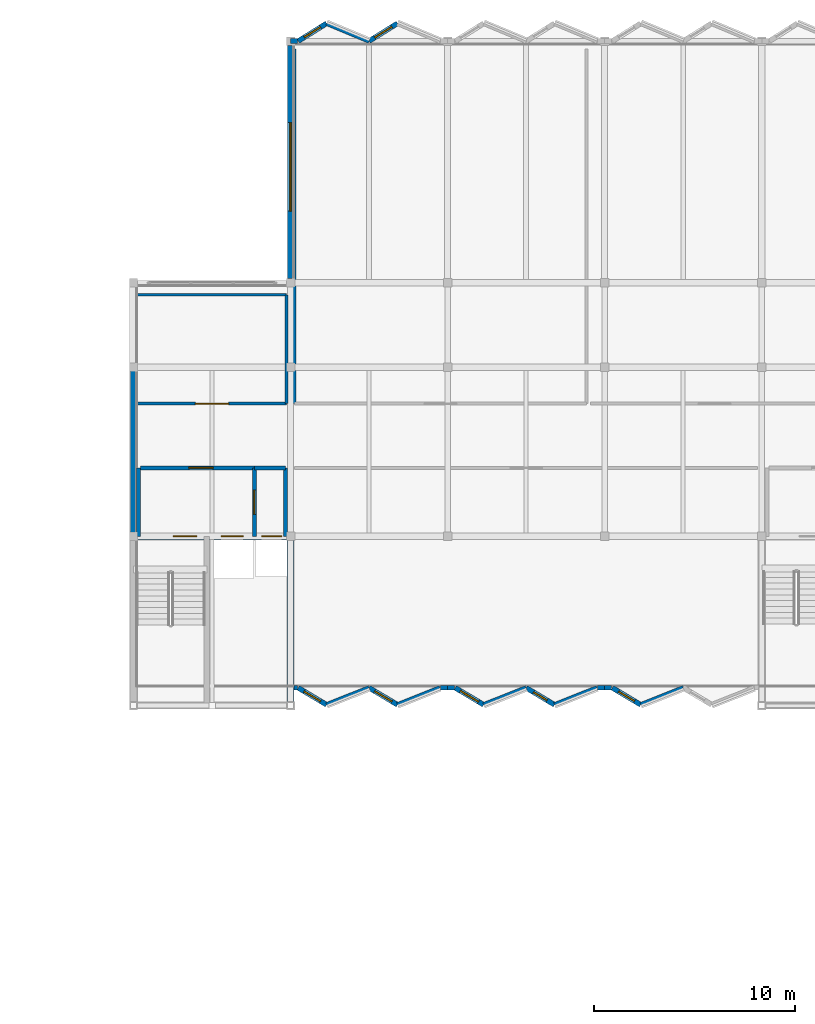
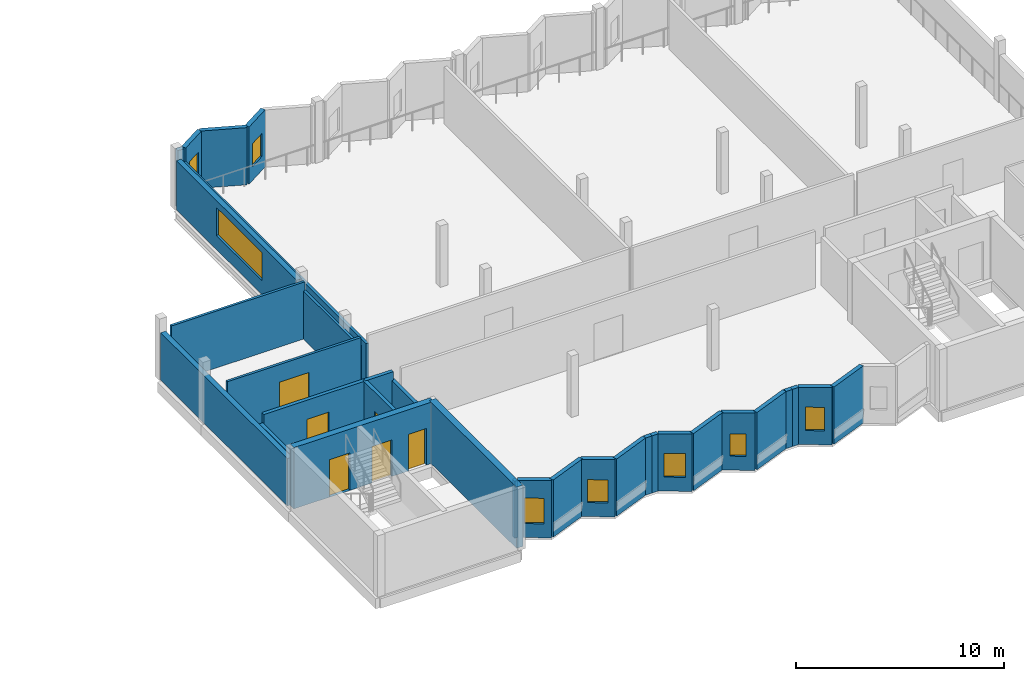
# One storey, part 14 of 22: 32 walls, 8 windows, 6 doors, 14 openings.
"""IFC4 building model written with IfcOpenShell, lengths in metres."""

from ifc_helpers import new_model, si_unit, direction, frame, frame_2d, origin, place, context, subcontext, project, spatial, rectangle, extrude, material, layer, layer_set, type_object, element, fill, save


model = new_model("IFC4")

# Units and contexts
model_context = context("Model", 3, precision=1e-05, world=origin(), true_north=direction((0.0, 1.0)))
body_context = subcontext(model_context, "Body", "Model", "MODEL_VIEW")
ifc_project = project(units=[si_unit("LENGTHUNIT", "METRE"), si_unit("AREAUNIT", "SQUARE_METRE"), si_unit("VOLUMEUNIT", "CUBIC_METRE"), si_unit("PLANEANGLEUNIT", "RADIAN"), si_unit("MASSUNIT", "GRAM", prefix="KILO")], contexts=[model_context])

# Site, building, storey
site_placement = place(None, origin())
site = spatial("IfcSite", under=ifc_project, at=site_placement, CompositionType="ELEMENT")
building_placement = place(site_placement, origin())
building = spatial("IfcBuilding", under=site, at=building_placement, Name="Vharandega Faculty of Natural Sciences", CompositionType="ELEMENT")
storey_placement = place(building_placement, frame((0.0, 0.0, 28.800048828125)))
storey = spatial("IfcBuildingStorey", under=building, at=storey_placement, Name="L07", CompositionType="ELEMENT", Elevation=28.800048828125)

# Wall
ifc_material_1 = material(Name="Concrete C40/50", Category="concrete")
ifc_layer_1 = layer(ifc_material_1, 0.35009765625, Name="Concrete C40/50")
ifc_layer_set_1 = layer_set([ifc_layer_1], Name="Concrete C40/50")
wall_type_1 = type_object("IfcWallType", Name="Core Shear Wall 350", PredefinedType="SHEAR", material=ifc_layer_set_1)
wall_1_placement = place(storey_placement, frame((122.60009765625, 64.0, 0.0), z_axis=(0.0, 0.0, 1.0), x_axis=(0.0, 1.0, 0.0)))
element("IfcWall", 1, at=wall_1_placement, inside=storey, type_object=wall_type_1, Name="Interior Wall CW-C1-L07-E", PredefinedType="SHEAR", context=body_context, shape_type="SweptSolid", body=[
    extrude(rectangle(XDim=8.39990234375, YDim=0.35009765625, at=frame_2d((4.199951171875, 0.0))), origin(), (0.0, 0.0, 1.0), 3.599853515625),
])

# Wall, openings, doors
wall_2_placement = place(storey_placement, frame((114.800048828125, 72.39990234375, 0.0), z_axis=(0.0, 0.0, 1.0), x_axis=(1.0, 0.0, 0.0)))
wall_2 = element("IfcWall", 2, at=wall_2_placement, inside=storey, type_object=wall_type_1, Name="Interior Wall CW-C1-L07-N", PredefinedType="SHEAR", context=body_context, shape_type="SweptSolid", body=[
    extrude(rectangle(XDim=7.800048828125, YDim=0.35009765625, at=frame_2d((3.89990234375, 0.0))), origin(), (0.0, 0.0, 1.0), 3.599853515625),
])
opening_1_placement = place(wall_2_placement, frame((1.97998046875, 0.0, 0.0)))
opening_1 = element("IfcOpeningElement", 3, at=opening_1_placement, cuts=wall_2, Name="Opening FD1", PredefinedType="OPENING", context=body_context, shape_type="SweptSolid", body=[
    extrude(rectangle(XDim=1.14990234375, YDim=2.199951171875, at=frame_2d((0.574951171875, 1.10009765625))), frame((0.0, 0.18505859375, 0.0), z_axis=(0.0, -1.0, 0.0), x_axis=(1.0, 0.0, 0.0)), (0.0, 0.0, 1.0), 0.3701171875),
])
opening_2_placement = place(wall_2_placement, frame((4.35009765625, 0.0, 0.0)))
opening_2 = element("IfcOpeningElement", 4, at=opening_2_placement, cuts=wall_2, Name="Opening LD-FL1-L07", PredefinedType="OPENING", context=body_context, shape_type="SweptSolid", body=[
    extrude(rectangle(XDim=1.10009765625, YDim=2.14990234375, at=frame_2d((0.550048828125, 1.074951171875))), frame((0.0, 0.18505859375, 0.0), z_axis=(0.0, -1.0, 0.0), x_axis=(1.0, 0.0, 0.0)), (0.0, 0.0, 1.0), 0.3701171875),
])
opening_3_placement = place(wall_2_placement, frame((6.360107421875, 0.0, 0.0)))
opening_3 = element("IfcOpeningElement", 5, at=opening_3_placement, cuts=wall_2, Name="Opening LD-LP1-L07", PredefinedType="OPENING", context=body_context, shape_type="SweptSolid", body=[
    extrude(rectangle(XDim=1.0, YDim=2.14990234375, at=frame_2d((0.5, 1.074951171875))), frame((0.0, 0.18505859375, 0.0), z_axis=(0.0, -1.0, 0.0), x_axis=(1.0, 0.0, 0.0)), (0.0, 0.0, 1.0), 0.3701171875),
])
ifc_material_2 = material(Name="Solid-core hardwood timber fire door", Category="wood")
door_type_1 = type_object("IfcDoorType", Name="FD1-STAIR-1150x2200", OperationType="NOTDEFINED", PredefinedType="DOOR", material=ifc_material_2)
door_1_placement = place(opening_1_placement, origin())
door_1 = element("IfcDoor", 6, at=door_1_placement, inside=storey, type_object=door_type_1, Name="Stair ST1 Fire Door FD1", OperationType="SINGLE_SWING_LEFT", OverallHeight=2.199951171875, OverallWidth=1.14990234375, PredefinedType="DOOR", context=body_context, shape_type="SweptSolid", body=[
    extrude(rectangle(XDim=1.14990234375, YDim=2.199951171875, at=frame_2d((0.574951171875, 1.10009765625))), frame((0.0, 0.02490234375, 0.0), z_axis=(0.0, -1.0, 0.0), x_axis=(1.0, 0.0, 0.0)), (0.0, 0.0, 1.0), 0.050048828125),
])
fill(opening_1, door_1)
ifc_material_3 = material(Name="Brushed stainless steel sliding landing door", Category="steel")
door_type_2 = type_object("IfcDoorType", Name="LD1-FFLIFT-SLIDING-1100x2150", OperationType="DOUBLE_DOOR_SLIDING", PredefinedType="DOOR", material=ifc_material_3)
door_2_placement = place(opening_2_placement, origin())
door_2 = element("IfcDoor", 7, at=door_2_placement, inside=storey, type_object=door_type_2, Name="Lift Landing Door LD-FL1-L07", OperationType="DOUBLE_DOOR_SLIDING", OverallHeight=2.14990234375, OverallWidth=1.10009765625, PredefinedType="DOOR", context=body_context, shape_type="SweptSolid", body=[
    extrude(rectangle(XDim=1.10009765625, YDim=2.14990234375, at=frame_2d((0.550048828125, 1.074951171875))), frame((0.0, 0.02490234375, 0.0), z_axis=(0.0, -1.0, 0.0), x_axis=(1.0, 0.0, 0.0)), (0.0, 0.0, 1.0), 0.050048828125),
])
fill(opening_2, door_2)
ifc_material_4 = material(Name="Brushed stainless steel sliding landing door", Category="steel")
door_type_3 = type_object("IfcDoorType", Name="LD2-PAXLIFT-SLIDING-1000x2150", OperationType="DOUBLE_DOOR_SLIDING", PredefinedType="DOOR", material=ifc_material_4)
door_3_placement = place(opening_3_placement, origin())
door_3 = element("IfcDoor", 8, at=door_3_placement, inside=storey, type_object=door_type_3, Name="Lift Landing Door LD-LP1-L07", OperationType="DOUBLE_DOOR_SLIDING", OverallHeight=2.14990234375, OverallWidth=1.0, PredefinedType="DOOR", context=body_context, shape_type="SweptSolid", body=[
    extrude(rectangle(XDim=1.0, YDim=2.14990234375, at=frame_2d((0.5, 1.074951171875))), frame((0.0, 0.02490234375, 0.0), z_axis=(0.0, -1.0, 0.0), x_axis=(1.0, 0.0, 0.0)), (0.0, 0.0, 1.0), 0.050048828125),
])
fill(opening_3, door_3)

# Wall, opening, door
ifc_material_5 = material(Name="Concrete C40/50", Category="concrete")
ifc_layer_2 = layer(ifc_material_5, 0.199951171875, Name="Concrete C40/50")
ifc_layer_set_2 = layer_set([ifc_layer_2], Name="Concrete C40/50")
wall_type_2 = type_object("IfcWallType", Name="Firefighting Lobby Wall 200", PredefinedType="PARTITIONING", material=ifc_layer_set_2)
wall_3_placement = place(storey_placement, frame((115.14990234375, 75.800048828125, 0.0), z_axis=(0.0, 0.0, 1.0), x_axis=(1.0, 0.0, 0.0)))
wall_3 = element("IfcWall", 9, at=wall_3_placement, inside=storey, type_object=wall_type_2, Name="Interior Wall PW-FFL-C1-L07-N", PredefinedType="PARTITIONING", context=body_context, shape_type="SweptSolid", body=[
    extrude(rectangle(XDim=5.650146484375, YDim=0.199951171875, at=frame_2d((2.8251953125, 0.0))), origin(), (0.0, 0.0, 1.0), 3.320068359375),
])
opening_4_placement = place(wall_3_placement, frame((2.39990234375, 0.0, 0.0)))
opening_4 = element("IfcOpeningElement", 10, at=opening_4_placement, cuts=wall_3, Name="Opening FD2", PredefinedType="OPENING", context=body_context, shape_type="SweptSolid", body=[
    extrude(rectangle(XDim=1.199951171875, YDim=2.199951171875, at=frame_2d((0.60009765625, 1.10009765625))), frame((0.0, 0.10986328125, 0.0), z_axis=(0.0, -1.0, 0.0), x_axis=(1.0, 0.0, 0.0)), (0.0, 0.0, 1.0), 0.219970703125),
])
ifc_material_6 = material(Name="Solid-core hardwood timber fire door", Category="wood")
door_type_4 = type_object("IfcDoorType", Name="FD2-FFLOBBY-1200x2200", OperationType="NOTDEFINED", PredefinedType="DOOR", material=ifc_material_6)
door_4_placement = place(opening_4_placement, origin())
door_4 = element("IfcDoor", 11, at=door_4_placement, inside=storey, type_object=door_type_4, Name="Firefighting Lobby C1 Door FD2", OperationType="SINGLE_SWING_LEFT", OverallHeight=2.199951171875, OverallWidth=1.199951171875, PredefinedType="DOOR", context=body_context, shape_type="SweptSolid", body=[
    extrude(rectangle(XDim=1.199951171875, YDim=2.199951171875, at=frame_2d((0.60009765625, 1.10009765625))), frame((0.0, 0.02490234375, 0.0), z_axis=(0.0, -1.0, 0.0), x_axis=(1.0, 0.0, 0.0)), (0.0, 0.0, 1.0), 0.050048828125),
])
fill(opening_4, door_4)

# Wall
wall_4_placement = place(storey_placement, frame((115.050048828125, 72.39990234375, 0.0), z_axis=(0.0, 0.0, 1.0), x_axis=(0.0, 1.0, 0.0)))
element("IfcWall", 12, at=wall_4_placement, inside=storey, type_object=wall_type_2, Name="Interior Wall PW-FFL-C1-L07-W", PredefinedType="PARTITIONING", context=body_context, shape_type="SweptSolid", body=[
    extrude(rectangle(XDim=3.400146484375, YDim=0.199951171875, at=frame_2d((1.7001953125, 0.0))), origin(), (0.0, 0.0, 1.0), 2.780029296875),
])

# Wall, opening, door
wall_5_placement = place(storey_placement, frame((120.800048828125, 72.39990234375, 0.0), z_axis=(0.0, 0.0, 1.0), x_axis=(0.0, 1.0, 0.0)))
wall_5 = element("IfcWall", 13, at=wall_5_placement, inside=storey, type_object=wall_type_2, Name="Interior Wall PW-FFL-C1-L07-E", PredefinedType="PARTITIONING", context=body_context, shape_type="SweptSolid", body=[
    extrude(rectangle(XDim=3.400146484375, YDim=0.199951171875, at=frame_2d((1.7001953125, 0.0))), origin(), (0.0, 0.0, 1.0), 3.320068359375),
])
opening_5_placement = place(wall_5_placement, frame((1.10009765625, 0.0, 0.0)))
opening_5 = element("IfcOpeningElement", 14, at=opening_5_placement, cuts=wall_5, Name="Opening FD2", PredefinedType="OPENING", context=body_context, shape_type="SweptSolid", body=[
    extrude(rectangle(XDim=1.199951171875, YDim=2.199951171875, at=frame_2d((0.60009765625, 1.10009765625))), frame((0.0, 0.10986328125, 0.0), z_axis=(0.0, -1.0, 0.0), x_axis=(1.0, 0.0, 0.0)), (0.0, 0.0, 1.0), 0.219970703125),
])
door_5_placement = place(opening_5_placement, origin())
door_5 = element("IfcDoor", 15, at=door_5_placement, inside=storey, type_object=door_type_4, Name="Lobby Interconnect C1 Door FD2", OperationType="SINGLE_SWING_RIGHT", OverallHeight=2.199951171875, OverallWidth=1.199951171875, PredefinedType="DOOR", context=body_context, shape_type="SweptSolid", body=[
    extrude(rectangle(XDim=1.199951171875, YDim=2.199951171875, at=frame_2d((0.60009765625, 1.10009765625))), frame((0.0, 0.02490234375, 0.0), z_axis=(0.0, -1.0, 0.0), x_axis=(1.0, 0.0, 0.0)), (0.0, 0.0, 1.0), 0.050048828125),
])
fill(opening_5, door_5)

# Walls
wall_6_placement = place(storey_placement, frame((120.800048828125, 75.800048828125, 0.0), z_axis=(0.0, 0.0, 1.0), x_axis=(1.0, 0.0, 0.0)))
element("IfcWall", 16, at=wall_6_placement, inside=storey, type_object=wall_type_2, Name="Interior Wall PW-LL-C1-L07-N", PredefinedType="PARTITIONING", context=body_context, shape_type="SweptSolid", body=[
    extrude(rectangle(XDim=1.550048828125, YDim=0.199951171875, at=frame_2d((0.77490234375, 0.0))), origin(), (0.0, 0.0, 1.0), 3.320068359375),
])
wall_7_placement = place(storey_placement, frame((122.35009765625, 72.39990234375, 0.0), z_axis=(0.0, 0.0, 1.0), x_axis=(0.0, 1.0, 0.0)))
element("IfcWall", 17, at=wall_7_placement, inside=storey, type_object=wall_type_2, Name="Interior Wall PW-LL-C1-L07-E", PredefinedType="PARTITIONING", context=body_context, shape_type="SweptSolid", body=[
    extrude(rectangle(XDim=3.400146484375, YDim=0.199951171875, at=frame_2d((1.7001953125, 0.0))), origin(), (0.0, 0.0, 1.0), 2.820068359375),
])
ifc_material_7 = material(Name="Gypsum fire-board on steel stud", Category="steel")
ifc_layer_3 = layer(ifc_material_7, 0.159912109375, Name="Gypsum fire-board on steel stud")
ifc_layer_set_3 = layer_set([ifc_layer_3], Name="Gypsum fire-board on steel stud")
wall_type_3 = type_object("IfcWallType", Name="Laboratory Fire Corridor Wall 160", PredefinedType="PARTITIONING", material=ifc_layer_set_3)
wall_8_placement = place(storey_placement, frame((122.800048828125, 79.0, 0.0), z_axis=(0.0, 0.0, 1.0), x_axis=(0.0, 1.0, 0.0)))
element("IfcWall", 18, at=wall_8_placement, inside=storey, type_object=wall_type_3, Name="Interior Wall PW-L07-R12W", PredefinedType="PARTITIONING", context=body_context, shape_type="SweptSolid", body=[
    extrude(rectangle(XDim=17.60009765625, YDim=0.159912109375, at=frame_2d((8.800048828125, 0.0))), origin(), (0.0, 0.0, 1.0), 2.820068359375),
])

# Wall, opening, door
ifc_material_8 = material(Name="Gypsum acoustic partition", Category="gypsum")
ifc_layer_4 = layer(ifc_material_8, 0.139892578125, Name="Gypsum acoustic partition")
ifc_layer_set_4 = layer_set([ifc_layer_4], Name="Gypsum acoustic partition")
wall_type_4 = type_object("IfcWallType", Name="Room Partition Wall 140", PredefinedType="PARTITIONING", material=ifc_layer_set_4)
wall_9_placement = place(storey_placement, frame((115.0, 79.0, 0.0), z_axis=(0.0, 0.0, 1.0), x_axis=(1.0, 0.0, 0.0)))
wall_9 = element("IfcWall", 19, at=wall_9_placement, inside=storey, type_object=wall_type_4, Name="Interior Wall PW-L07-R06S", PredefinedType="PARTITIONING", context=body_context, shape_type="SweptSolid", body=[
    extrude(rectangle(XDim=7.39990234375, YDim=0.139892578125, at=frame_2d((3.699951171875, 0.0))), origin(), (0.0, 0.0, 1.0), 3.33984375),
])
opening_6_placement = place(wall_9_placement, frame((2.875, 0.0, 0.0)))
opening_6 = element("IfcOpeningElement", 20, at=opening_6_placement, cuts=wall_9, Name="Opening D0342", PredefinedType="OPENING", context=body_context, shape_type="SweptSolid", body=[
    extrude(rectangle(XDim=1.64990234375, YDim=2.300048828125, at=frame_2d((0.824951171875, 1.14990234375))), frame((0.0, 0.080078125, 0.0), z_axis=(0.0, -1.0, 0.0), x_axis=(1.0, 0.0, 0.0)), (0.0, 0.0, 1.0), 0.159912109375),
])
ifc_material_9 = material(Name="Solid-core hardwood timber fire door", Category="wood")
door_type_5 = type_object("IfcDoorType", Name="ID11-BOARDROOM-DBL-1650x2300", OperationType="DOUBLE_DOOR_SINGLE_SWING", PredefinedType="DOOR", material=ifc_material_9)
door_6_placement = place(opening_6_placement, origin())
door_6 = element("IfcDoor", 21, at=door_6_placement, inside=storey, type_object=door_type_5, Name="Optics Calibration Prep Room Door D0342", OperationType="DOUBLE_DOOR_SINGLE_SWING", OverallHeight=2.300048828125, OverallWidth=1.64990234375, PredefinedType="DOOR", context=body_context, shape_type="SweptSolid", body=[
    extrude(rectangle(XDim=1.64990234375, YDim=2.300048828125, at=frame_2d((0.824951171875, 1.14990234375))), frame((0.0, 0.02490234375, 0.0), z_axis=(0.0, -1.0, 0.0), x_axis=(1.0, 0.0, 0.0)), (0.0, 0.0, 1.0), 0.050048828125),
])
fill(opening_6, door_6)

# Walls
wall_10_placement = place(storey_placement, frame((115.0, 84.39990234375, 0.0), z_axis=(0.0, 0.0, 1.0), x_axis=(1.0, 0.0, 0.0)))
element("IfcWall", 22, at=wall_10_placement, inside=storey, type_object=wall_type_4, Name="Interior Wall PW-L07-R06N", PredefinedType="PARTITIONING", context=body_context, shape_type="SweptSolid", body=[
    extrude(rectangle(XDim=7.39990234375, YDim=0.139892578125, at=frame_2d((3.699951171875, 0.0))), origin(), (0.0, 0.0, 1.0), 3.33984375),
])
wall_11_placement = place(storey_placement, frame((122.39990234375, 79.0, 0.0), z_axis=(0.0, 0.0, 1.0), x_axis=(0.0, 1.0, 0.0)))
element("IfcWall", 23, at=wall_11_placement, inside=storey, type_object=wall_type_4, Name="Interior Wall PW-L07-R06E", PredefinedType="PARTITIONING", context=body_context, shape_type="SweptSolid", body=[
    extrude(rectangle(XDim=5.39990234375, YDim=0.139892578125, at=frame_2d((2.699951171875, 0.0))), origin(), (0.0, 0.0, 1.0), 2.820068359375),
])

# Wall, opening, window
ifc_material_10 = material(Name="Precast concrete C40/50", Category="concrete")
ifc_layer_5 = layer(ifc_material_10, 0.25, Name="Precast concrete C40/50")
ifc_layer_set_5 = layer_set([ifc_layer_5], Name="Precast concrete C40/50")
wall_type_5 = type_object("IfcWallType", Name="Sawtooth Glazed-Face Precast Wall 250", PredefinedType="SOLIDWALL", material=ifc_layer_set_5)
wall_12_placement = place(storey_placement, frame((122.97998046875, 97.0, 0.0), z_axis=(0.0, 0.0, 1.0), x_axis=(0.848023086369, 0.529959286158, 0.0)))
wall_12 = element("IfcWall", 24, at=wall_12_placement, inside=storey, type_object=wall_type_5, Name="Exterior Wall EW-SAW-L07-N01G", PredefinedType="SOLIDWALL", context=body_context, shape_type="SweptSolid", body=[
    extrude(rectangle(XDim=1.660400390625, YDim=0.25, at=frame_2d((0.830078125, 0.0))), origin(), (0.0, 0.0, 1.0), 3.35986328125),
])
opening_7_placement = place(wall_12_placement, frame((0.355224609375, 0.0, 0.820068359375)))
opening_7 = element("IfcOpeningElement", 25, at=opening_7_placement, cuts=wall_12, Name="Opening WN-04", PredefinedType="OPENING", context=body_context, shape_type="SweptSolid", body=[
    extrude(rectangle(XDim=0.949951171875, YDim=1.5, at=frame_2d((0.47509765625, 0.75))), frame((0.0, 0.135009765625, 0.0), z_axis=(0.0, -1.0, 0.0), x_axis=(1.0, 0.0, 0.0)), (0.0, 0.0, 1.0), 0.27001953125),
])
ifc_material_11 = material(Name="Double-glazed solar-control glass in thermally broken aluminium frame", Category="aluminium")
window_type_1 = type_object("IfcWindowType", Name="WIN-SAW-095x150", PartitioningType="SINGLE_PANEL", PredefinedType="WINDOW", material=ifc_material_11)
window_1_placement = place(opening_7_placement, origin())
window_1 = element("IfcWindow", 26, at=window_1_placement, inside=storey, type_object=window_type_1, Name="Window WIN-L07-0049", OverallHeight=1.5, OverallWidth=0.949951171875, PartitioningType="SINGLE_PANEL", PredefinedType="WINDOW", context=body_context, shape_type="SweptSolid", body=[
    extrude(rectangle(XDim=0.949951171875, YDim=1.5, at=frame_2d((0.47509765625, 0.75))), frame((0.0, 0.030029296875, 0.0), z_axis=(0.0, -1.0, 0.0), x_axis=(1.0, 0.0, 0.0)), (0.0, 0.0, 1.0), 0.06005859375),
])
fill(opening_7, window_1)

wall_13_placement = place(storey_placement, frame((126.5, 97.0, 0.0), z_axis=(0.0, 0.0, 1.0), x_axis=(0.848023086369, 0.529959286158, 0.0)))
wall_13 = element("IfcWall", 27, at=wall_13_placement, inside=storey, type_object=wall_type_5, Name="Exterior Wall EW-SAW-L07-N02G", PredefinedType="SOLIDWALL", context=body_context, shape_type="SweptSolid", body=[
    extrude(rectangle(XDim=1.660400390625, YDim=0.25, at=frame_2d((0.830078125, 0.0))), origin(), (0.0, 0.0, 1.0), 3.35986328125),
])
opening_8_placement = place(wall_13_placement, frame((0.330078125, 0.0, 0.820068359375)))
opening_8 = element("IfcOpeningElement", 28, at=opening_8_placement, cuts=wall_13, Name="Opening WN-05", PredefinedType="OPENING", context=body_context, shape_type="SweptSolid", body=[
    extrude(rectangle(XDim=1.0, YDim=1.35009765625, at=frame_2d((0.5, 0.675048828125))), frame((0.0, 0.135009765625, 0.0), z_axis=(0.0, -1.0, 0.0), x_axis=(1.0, 0.0, 0.0)), (0.0, 0.0, 1.0), 0.27001953125),
])
ifc_material_12 = material(Name="Double-glazed solar-control glass in thermally broken aluminium frame", Category="aluminium")
window_type_2 = type_object("IfcWindowType", Name="WIN-SAW-100x135", PartitioningType="SINGLE_PANEL", PredefinedType="WINDOW", material=ifc_material_12)
window_2_placement = place(opening_8_placement, origin())
window_2 = element("IfcWindow", 29, at=window_2_placement, inside=storey, type_object=window_type_2, Name="Window WIN-L07-0050", OverallHeight=1.35009765625, OverallWidth=1.0, PartitioningType="SINGLE_PANEL", PredefinedType="WINDOW", context=body_context, shape_type="SweptSolid", body=[
    extrude(rectangle(XDim=1.0, YDim=1.35009765625, at=frame_2d((0.5, 0.675048828125))), frame((0.0, 0.030029296875, 0.0), z_axis=(0.0, -1.0, 0.0), x_axis=(1.0, 0.0, 0.0)), (0.0, 0.0, 1.0), 0.06005859375),
])
fill(opening_8, window_2)

wall_14_placement = place(storey_placement, frame((124.387939453125, 64.0400390625, 0.0), z_axis=(0.0, 0.0, 1.0), x_axis=(-0.858817206091, 0.512282155185, 0.0)))
wall_14 = element("IfcWall", 30, at=wall_14_placement, inside=storey, type_object=wall_type_5, Name="Exterior Wall EW-SAW-L07-S01G", PredefinedType="SOLIDWALL", context=body_context, shape_type="SweptSolid", body=[
    extrude(rectangle(XDim=1.639404296875, YDim=0.25, at=frame_2d((0.81982421875, 0.0))), origin(), (0.0, 0.0, 1.0), 3.35986328125),
])
opening_9_placement = place(wall_14_placement, frame((0.3447265625, 0.0, 0.820068359375)))
opening_9 = element("IfcOpeningElement", 31, at=opening_9_placement, cuts=wall_14, Name="Opening WN-04", PredefinedType="OPENING", context=body_context, shape_type="SweptSolid", body=[
    extrude(rectangle(XDim=0.949951171875, YDim=1.5, at=frame_2d((0.47509765625, 0.75))), frame((0.0, 0.135009765625, 0.0), z_axis=(0.0, -1.0, 0.0), x_axis=(1.0, 0.0, 0.0)), (0.0, 0.0, 1.0), 0.27001953125),
])
window_3_placement = place(opening_9_placement, origin())
window_3 = element("IfcWindow", 32, at=window_3_placement, inside=storey, type_object=window_type_1, Name="Window WIN-L07-0059", OverallHeight=1.5, OverallWidth=0.949951171875, PartitioningType="SINGLE_PANEL", PredefinedType="WINDOW", context=body_context, shape_type="SweptSolid", body=[
    extrude(rectangle(XDim=0.949951171875, YDim=1.5, at=frame_2d((0.47509765625, 0.75))), frame((0.0, 0.030029296875, 0.0), z_axis=(0.0, -1.0, 0.0), x_axis=(1.0, 0.0, 0.0)), (0.0, 0.0, 1.0), 0.06005859375),
])
fill(opening_9, window_3)

wall_15_placement = place(storey_placement, frame((127.907958984375, 64.0400390625, 0.0), z_axis=(0.0, 0.0, 1.0), x_axis=(-0.858817206091, 0.512282155185, 0.0)))
wall_15 = element("IfcWall", 33, at=wall_15_placement, inside=storey, type_object=wall_type_5, Name="Exterior Wall EW-SAW-L07-S02G", PredefinedType="SOLIDWALL", context=body_context, shape_type="SweptSolid", body=[
    extrude(rectangle(XDim=1.639404296875, YDim=0.25, at=frame_2d((0.81982421875, 0.0))), origin(), (0.0, 0.0, 1.0), 3.35986328125),
])
opening_10_placement = place(wall_15_placement, frame((0.31982421875, 0.0, 0.820068359375)))
opening_10 = element("IfcOpeningElement", 34, at=opening_10_placement, cuts=wall_15, Name="Opening WN-05", PredefinedType="OPENING", context=body_context, shape_type="SweptSolid", body=[
    extrude(rectangle(XDim=1.0, YDim=1.35009765625, at=frame_2d((0.5, 0.675048828125))), frame((0.0, 0.135009765625, 0.0), z_axis=(0.0, -1.0, 0.0), x_axis=(1.0, 0.0, 0.0)), (0.0, 0.0, 1.0), 0.27001953125),
])
window_4_placement = place(opening_10_placement, origin())
window_4 = element("IfcWindow", 35, at=window_4_placement, inside=storey, type_object=window_type_2, Name="Window WIN-L07-0060", OverallHeight=1.35009765625, OverallWidth=1.0, PartitioningType="SINGLE_PANEL", PredefinedType="WINDOW", context=body_context, shape_type="SweptSolid", body=[
    extrude(rectangle(XDim=1.0, YDim=1.35009765625, at=frame_2d((0.5, 0.675048828125))), frame((0.0, 0.030029296875, 0.0), z_axis=(0.0, -1.0, 0.0), x_axis=(1.0, 0.0, 0.0)), (0.0, 0.0, 1.0), 0.06005859375),
])
fill(opening_10, window_4)

wall_16_placement = place(storey_placement, frame((132.18798828125, 64.0400390625, 0.0), z_axis=(0.0, 0.0, 1.0), x_axis=(-0.858817206091, 0.512282155185, 0.0)))
wall_16 = element("IfcWall", 36, at=wall_16_placement, inside=storey, type_object=wall_type_5, Name="Exterior Wall EW-SAW-L07-S03G", PredefinedType="SOLIDWALL", context=body_context, shape_type="SweptSolid", body=[
    extrude(rectangle(XDim=1.639404296875, YDim=0.25, at=frame_2d((0.81982421875, 0.0))), origin(), (0.0, 0.0, 1.0), 3.35986328125),
])
opening_11_placement = place(wall_16_placement, frame((0.294921875, 0.0, 0.820068359375)))
opening_11 = element("IfcOpeningElement", 37, at=opening_11_placement, cuts=wall_16, Name="Opening WN-06", PredefinedType="OPENING", context=body_context, shape_type="SweptSolid", body=[
    extrude(rectangle(XDim=1.050048828125, YDim=1.39990234375, at=frame_2d((0.52490234375, 0.699951171875))), frame((0.0, 0.135009765625, 0.0), z_axis=(0.0, -1.0, 0.0), x_axis=(1.0, 0.0, 0.0)), (0.0, 0.0, 1.0), 0.27001953125),
])
ifc_material_13 = material(Name="Double-glazed solar-control glass in thermally broken aluminium frame", Category="aluminium")
window_type_3 = type_object("IfcWindowType", Name="WIN-SAW-105x140", PartitioningType="SINGLE_PANEL", PredefinedType="WINDOW", material=ifc_material_13)
window_5_placement = place(opening_11_placement, origin())
window_5 = element("IfcWindow", 38, at=window_5_placement, inside=storey, type_object=window_type_3, Name="Window WIN-L07-0061", OverallHeight=1.39990234375, OverallWidth=1.050048828125, PartitioningType="SINGLE_PANEL", PredefinedType="WINDOW", context=body_context, shape_type="SweptSolid", body=[
    extrude(rectangle(XDim=1.050048828125, YDim=1.39990234375, at=frame_2d((0.52490234375, 0.699951171875))), frame((0.0, 0.030029296875, 0.0), z_axis=(0.0, -1.0, 0.0), x_axis=(1.0, 0.0, 0.0)), (0.0, 0.0, 1.0), 0.06005859375),
])
fill(opening_11, window_5)

wall_17_placement = place(storey_placement, frame((135.7080078125, 64.0400390625, 0.0), z_axis=(0.0, 0.0, 1.0), x_axis=(-0.858817206091, 0.512282155185, 0.0)))
wall_17 = element("IfcWall", 39, at=wall_17_placement, inside=storey, type_object=wall_type_5, Name="Exterior Wall EW-SAW-L07-S04G", PredefinedType="SOLIDWALL", context=body_context, shape_type="SweptSolid", body=[
    extrude(rectangle(XDim=1.639404296875, YDim=0.25, at=frame_2d((0.81982421875, 0.0))), origin(), (0.0, 0.0, 1.0), 3.35986328125),
])
opening_12_placement = place(wall_17_placement, frame((0.4296875, 0.0, 0.820068359375)))
opening_12 = element("IfcOpeningElement", 40, at=opening_12_placement, cuts=wall_17, Name="Opening WN-06A", PredefinedType="OPENING", context=body_context, shape_type="SweptSolid", body=[
    extrude(rectangle(XDim=0.780029296875, YDim=1.300048828125, at=frame_2d((0.39013671875, 0.64990234375))), frame((0.0, 0.135009765625, 0.0), z_axis=(0.0, -1.0, 0.0), x_axis=(1.0, 0.0, 0.0)), (0.0, 0.0, 1.0), 0.27001953125),
])
ifc_material_14 = material(Name="Double-glazed solar-control glass in thermally broken aluminium frame", Category="aluminium")
window_type_4 = type_object("IfcWindowType", Name="WIN-SAW-078x130", PartitioningType="SINGLE_PANEL", PredefinedType="WINDOW", material=ifc_material_14)
window_6_placement = place(opening_12_placement, origin())
window_6 = element("IfcWindow", 41, at=window_6_placement, inside=storey, type_object=window_type_4, Name="Window WIN-L07-0062", OverallHeight=1.300048828125, OverallWidth=0.780029296875, PartitioningType="SINGLE_PANEL", PredefinedType="WINDOW", context=body_context, shape_type="SweptSolid", body=[
    extrude(rectangle(XDim=0.780029296875, YDim=1.300048828125, at=frame_2d((0.39013671875, 0.64990234375))), frame((0.0, 0.030029296875, 0.0), z_axis=(0.0, -1.0, 0.0), x_axis=(1.0, 0.0, 0.0)), (0.0, 0.0, 1.0), 0.06005859375),
])
fill(opening_12, window_6)

wall_18_placement = place(storey_placement, frame((139.988037109375, 64.0400390625, 0.0), z_axis=(0.0, 0.0, 1.0), x_axis=(-0.858817206091, 0.512282155185, 0.0)))
wall_18 = element("IfcWall", 42, at=wall_18_placement, inside=storey, type_object=wall_type_5, Name="Exterior Wall EW-SAW-L07-S05G", PredefinedType="SOLIDWALL", context=body_context, shape_type="SweptSolid", body=[
    extrude(rectangle(XDim=1.639404296875, YDim=0.25, at=frame_2d((0.81982421875, 0.0))), origin(), (0.0, 0.0, 1.0), 3.35986328125),
])
opening_13_placement = place(wall_18_placement, frame((0.35986328125, 0.0, 0.820068359375)))
opening_13 = element("IfcOpeningElement", 43, at=opening_13_placement, cuts=wall_18, Name="Opening WN-06B", PredefinedType="OPENING", context=body_context, shape_type="SweptSolid", body=[
    extrude(rectangle(XDim=0.919921875, YDim=1.3798828125, at=frame_2d((0.4599609375, 0.68994140625))), frame((0.0, 0.135009765625, 0.0), z_axis=(0.0, -1.0, 0.0), x_axis=(1.0, 0.0, 0.0)), (0.0, 0.0, 1.0), 0.27001953125),
])
ifc_material_15 = material(Name="Double-glazed solar-control glass in thermally broken aluminium frame", Category="aluminium")
window_type_5 = type_object("IfcWindowType", Name="WIN-SAW-092x138", PartitioningType="SINGLE_PANEL", PredefinedType="WINDOW", material=ifc_material_15)
window_7_placement = place(opening_13_placement, origin())
window_7 = element("IfcWindow", 44, at=window_7_placement, inside=storey, type_object=window_type_5, Name="Window WIN-L07-0063", OverallHeight=1.3798828125, OverallWidth=0.919921875, PartitioningType="SINGLE_PANEL", PredefinedType="WINDOW", context=body_context, shape_type="SweptSolid", body=[
    extrude(rectangle(XDim=0.919921875, YDim=1.3798828125, at=frame_2d((0.4599609375, 0.68994140625))), frame((0.0, 0.030029296875, 0.0), z_axis=(0.0, -1.0, 0.0), x_axis=(1.0, 0.0, 0.0)), (0.0, 0.0, 1.0), 0.06005859375),
])
fill(opening_13, window_7)

# Walls
ifc_material_16 = material(Name="Precast concrete C40/50", Category="concrete")
ifc_layer_6 = layer(ifc_material_16, 0.22998046875, Name="Precast concrete C40/50")
ifc_layer_set_6 = layer_set([ifc_layer_6], Name="Precast concrete C40/50")
wall_type_6 = type_object("IfcWallType", Name="Sawtooth Solid White Precast Wall 230", PredefinedType="SOLIDWALL", material=ifc_layer_set_6)
wall_19_placement = place(storey_placement, frame((122.60009765625, 97.0, 0.0), z_axis=(0.0, 0.0, 1.0), x_axis=(1.0, 0.0, 0.0)))
element("IfcWall", 45, at=wall_19_placement, inside=storey, type_object=wall_type_6, Name="Exterior Wall EW-SHL-L07-N16L", PredefinedType="SOLIDWALL", context=body_context, shape_type="SweptSolid", body=[
    extrude(rectangle(XDim=0.349853515625, YDim=0.22998046875, at=frame_2d((0.1748046875, 0.0))), origin(), (0.0, 0.0, 1.0), 3.35986328125),
])
wall_20_placement = place(storey_placement, frame((122.949951171875, 64.8798828125, 0.0), z_axis=(0.0, 0.0, 1.0), x_axis=(-1.0, 0.0, 0.0)))
element("IfcWall", 46, at=wall_20_placement, inside=storey, type_object=wall_type_6, Name="Exterior Wall EW-SHL-L07-S1617FL", PredefinedType="SOLIDWALL", context=body_context, shape_type="SweptSolid", body=[
    extrude(rectangle(XDim=0.179931640625, YDim=0.22998046875, at=frame_2d((0.08984375, 0.0))), origin(), (0.0, 0.0, 1.0), 3.35986328125),
])
wall_21_placement = place(storey_placement, frame((130.39990234375, 64.8798828125, 0.0), z_axis=(0.0, 0.0, 1.0), x_axis=(-1.0, 0.0, 0.0)))
element("IfcWall", 47, at=wall_21_placement, inside=storey, type_object=wall_type_6, Name="Exterior Wall EW-SHL-L07-S1617FR", PredefinedType="SOLIDWALL", context=body_context, shape_type="SweptSolid", body=[
    extrude(rectangle(XDim=0.35986328125, YDim=0.22998046875, at=frame_2d((0.179931640625, 0.0))), origin(), (0.0, 0.0, 1.0), 3.35986328125),
])
wall_22_placement = place(storey_placement, frame((130.75, 64.8798828125, 0.0), z_axis=(0.0, 0.0, 1.0), x_axis=(-1.0, 0.0, 0.0)))
element("IfcWall", 48, at=wall_22_placement, inside=storey, type_object=wall_type_6, Name="Exterior Wall EW-SHL-L07-S1718FL", PredefinedType="SOLIDWALL", context=body_context, shape_type="SweptSolid", body=[
    extrude(rectangle(XDim=0.35009765625, YDim=0.22998046875, at=frame_2d((0.175048828125, 0.0))), origin(), (0.0, 0.0, 1.0), 3.35986328125),
])
wall_23_placement = place(storey_placement, frame((138.199951171875, 64.8798828125, 0.0), z_axis=(0.0, 0.0, 1.0), x_axis=(-1.0, 0.0, 0.0)))
element("IfcWall", 49, at=wall_23_placement, inside=storey, type_object=wall_type_6, Name="Exterior Wall EW-SHL-L07-S1718FR", PredefinedType="SOLIDWALL", context=body_context, shape_type="SweptSolid", body=[
    extrude(rectangle(XDim=0.35986328125, YDim=0.22998046875, at=frame_2d((0.179931640625, 0.0))), origin(), (0.0, 0.0, 1.0), 3.35986328125),
])
wall_24_placement = place(storey_placement, frame((138.550048828125, 64.8798828125, 0.0), z_axis=(0.0, 0.0, 1.0), x_axis=(-1.0, 0.0, 0.0)))
element("IfcWall", 50, at=wall_24_placement, inside=storey, type_object=wall_type_6, Name="Exterior Wall EW-SHL-L07-S1819FL", PredefinedType="SOLIDWALL", context=body_context, shape_type="SweptSolid", body=[
    extrude(rectangle(XDim=0.35009765625, YDim=0.22998046875, at=frame_2d((0.175048828125, 0.0))), origin(), (0.0, 0.0, 1.0), 3.35986328125),
])
wall_25_placement = place(storey_placement, frame((124.387939453125, 97.8798828125, 0.0), z_axis=(0.0, 0.0, 1.0), x_axis=(0.92309902008, -0.384562347517, 0.0)))
element("IfcWall", 51, at=wall_25_placement, inside=storey, type_object=wall_type_6, Name="Exterior Wall EW-SAW-L07-N01S", PredefinedType="SOLIDWALL", context=body_context, shape_type="SweptSolid", body=[
    extrude(rectangle(XDim=2.2880859375, YDim=0.22998046875, at=frame_2d((1.14404296875, 0.0))), origin(), (0.0, 0.0, 1.0), 3.35986328125),
])
for number, where, z_axis, x_axis, name in (
    (52, (126.5, 64.8798828125, 0.0), (0.0, 0.0, 1.0), (-0.929230364612, -0.369500919462, 0.0), "Exterior Wall EW-SAW-L07-S01S"),
    (53, (130.02001953125, 64.8798828125, 0.0), (0.0, 0.0, 1.0), (-0.929230364612, -0.369500919462, 0.0), "Exterior Wall EW-SAW-L07-S02S"),
    (54, (134.300048828125, 64.8798828125, 0.0), (0.0, 0.0, 1.0), (-0.929230364612, -0.369500919462, 0.0), "Exterior Wall EW-SAW-L07-S03S"),
    (55, (137.820068359375, 64.8798828125, 0.0), (0.0, 0.0, 1.0), (-0.929230364612, -0.369500919462, 0.0), "Exterior Wall EW-SAW-L07-S04S"),
    (56, (142.10009765625, 64.8798828125, 0.0), (0.0, 0.0, 1.0), (-0.929230364612, -0.369500919462, 0.0), "Exterior Wall EW-SAW-L07-S05S"),
):
    element("IfcWall", number, at=place(storey_placement, frame(where, z_axis=z_axis, x_axis=x_axis)), inside=storey, type_object=wall_type_6, Name=name, PredefinedType="SOLIDWALL", context=body_context, shape_type="SweptSolid", body=[
        extrude(rectangle(XDim=2.27294921875, YDim=0.22998046875, at=frame_2d((1.136474609375, 0.0))), origin(), (0.0, 0.0, 1.0), 3.35986328125),
    ])

# Wall, opening, window
ifc_material_17 = material(Name="Precast concrete C40/50", Category="concrete")
ifc_layer_7 = layer(ifc_material_17, 0.280029296875, Name="Precast concrete C40/50")
ifc_layer_set_7 = layer_set([ifc_layer_7], Name="Precast concrete C40/50")
wall_type_7 = type_object("IfcWallType", Name="White Precast End Wall 280", PredefinedType="SOLIDWALL", material=ifc_layer_set_7)
wall_26_placement = place(storey_placement, frame((122.60009765625, 85.2080078125, 0.0), z_axis=(0.0, 0.0, 1.0), x_axis=(0.0, 1.0, 0.0)))
wall_26 = element("IfcWall", 57, at=wall_26_placement, inside=storey, type_object=wall_type_7, Name="Exterior Wall EW-L07-V4CW", PredefinedType="SOLIDWALL", context=body_context, shape_type="SweptSolid", body=[
    extrude(rectangle(XDim=11.583984375, YDim=0.280029296875, at=frame_2d((5.7919921875, 0.0))), origin(), (0.0, 0.0, 1.0), 2.8798828125),
])
opening_14_placement = place(wall_26_placement, frame((3.342041015625, 0.0, 0.820068359375)))
opening_14 = element("IfcOpeningElement", 58, at=opening_14_placement, cuts=wall_26, Name="Opening WN-15", PredefinedType="OPENING", context=body_context, shape_type="SweptSolid", body=[
    extrude(rectangle(XDim=4.39990234375, YDim=1.64990234375, at=frame_2d((2.199951171875, 0.824951171875))), frame((0.0, 0.14990234375, 0.0), z_axis=(0.0, -1.0, 0.0), x_axis=(1.0, 0.0, 0.0)), (0.0, 0.0, 1.0), 0.300048828125),
])
ifc_material_18 = material(Name="Double-glazed solar-control glass in thermally broken aluminium frame", Category="aluminium")
window_type_6 = type_object("IfcWindowType", Name="WIN-MON-440x165", PartitioningType="DOUBLE_PANEL_VERTICAL", PredefinedType="WINDOW", material=ifc_material_18)
window_8_placement = place(opening_14_placement, origin())
window_8 = element("IfcWindow", 59, at=window_8_placement, inside=storey, type_object=window_type_6, Name="Window WIN-L07-0048", OverallHeight=1.64990234375, OverallWidth=4.39990234375, PartitioningType="SINGLE_PANEL", PredefinedType="WINDOW", context=body_context, shape_type="SweptSolid", body=[
    extrude(rectangle(XDim=4.39990234375, YDim=1.64990234375, at=frame_2d((2.199951171875, 0.824951171875))), frame((0.0, 0.030029296875, 0.0), z_axis=(0.0, -1.0, 0.0), x_axis=(1.0, 0.0, 0.0)), (0.0, 0.0, 1.0), 0.06005859375),
])
fill(opening_14, window_8)

# Wall
wall_27_placement = place(storey_placement, frame((114.800048828125, 72.60009765625, 0.0), z_axis=(0.0, 0.0, 1.0), x_axis=(0.0, 1.0, 0.0)))
element("IfcWall", 60, at=wall_27_placement, inside=storey, type_object=wall_type_7, Name="Exterior Wall EW-L07-V4C1W", PredefinedType="SOLIDWALL", context=body_context, shape_type="SweptSolid", body=[
    extrude(rectangle(XDim=12.199951171875, YDim=0.280029296875, at=frame_2d((6.10009765625, 0.0))), origin(), (0.0, 0.0, 1.0), 2.780029296875),
])

save(model, "model.ifc")
